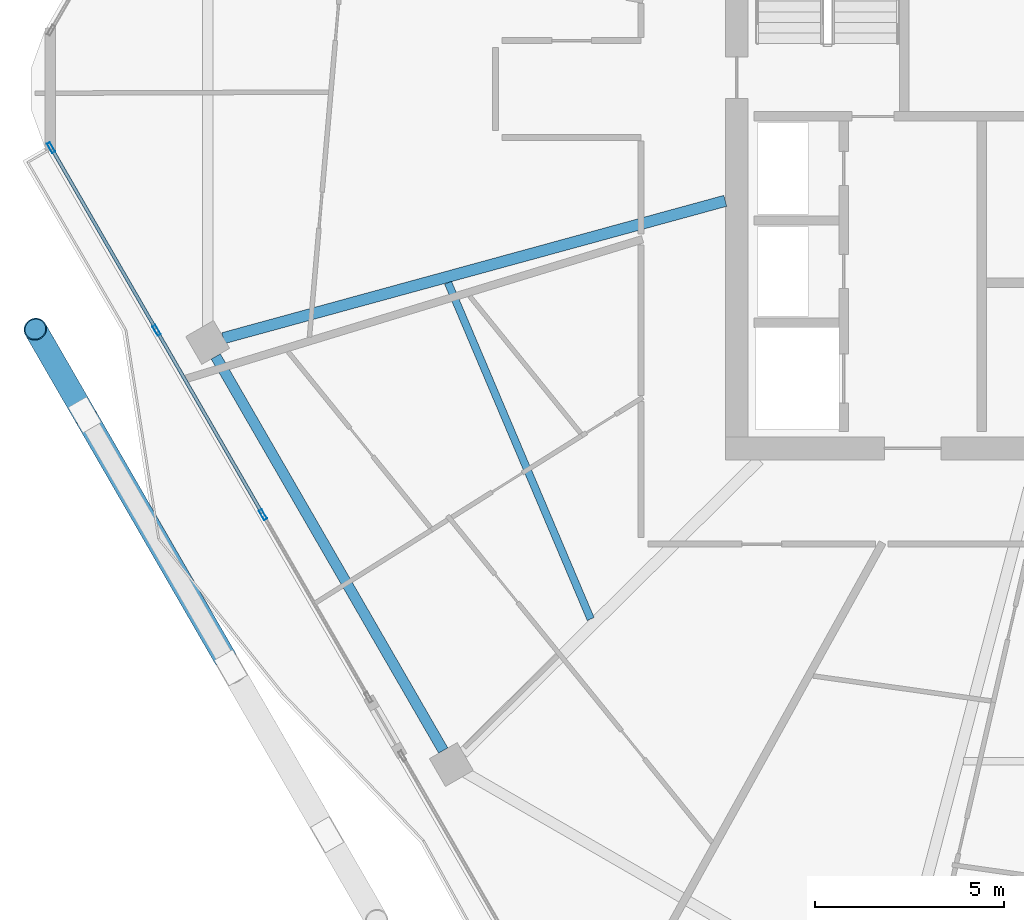
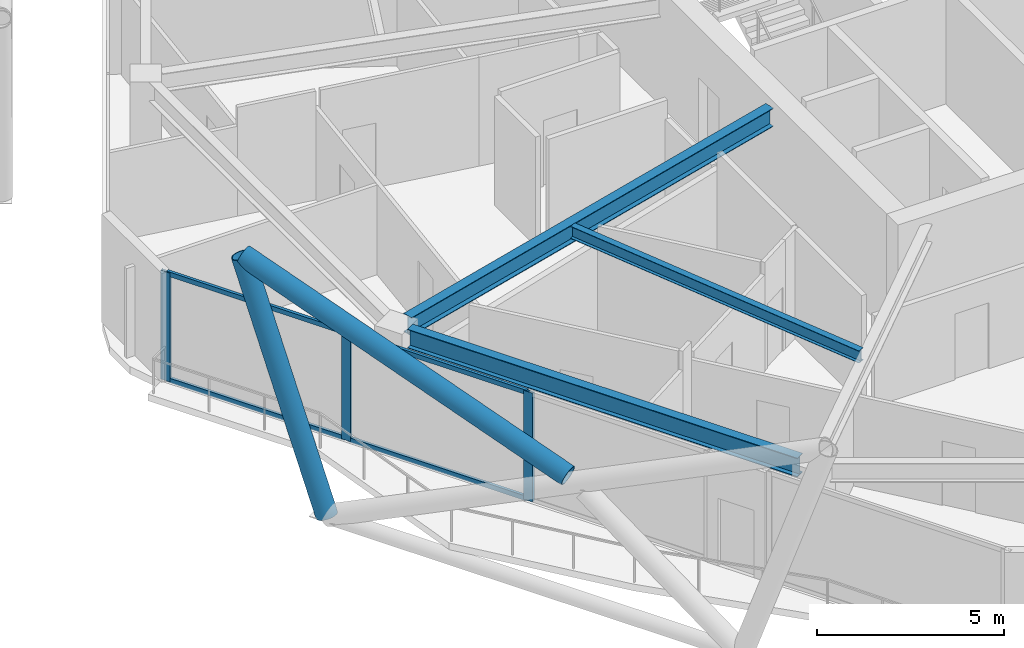
# One storey, part 5 of 28: 9 members, 3 beams, 1 element without a shape of its own.
"""IFC4 building model written with IfcOpenShell, lengths in metres."""

from ifc_helpers import new_model, si_unit, direction, frame, origin, origin_2d, place, context, subcontext, project, spatial, hollow_rectangle, hollow_circle, i_section, extrude, material, material_profile, profile_set, type_object, element, aggregate, save


model = new_model("IFC4")

# Units and contexts
model_context = context("Model", 3, precision=1e-05, world=origin(), true_north=direction((0.0, 1.0)))
body_context = subcontext(model_context, "Body", "Model", "MODEL_VIEW")
ifc_project = project(units=[si_unit("LENGTHUNIT", "METRE"), si_unit("AREAUNIT", "SQUARE_METRE"), si_unit("VOLUMEUNIT", "CUBIC_METRE"), si_unit("PLANEANGLEUNIT", "RADIAN"), si_unit("MASSUNIT", "GRAM", prefix="KILO")], contexts=[model_context])

# Site, building, storey
site_placement = place(None, origin())
site = spatial("IfcSite", under=ifc_project, at=site_placement, CompositionType="ELEMENT")
building_placement = place(site_placement, origin())
building = spatial("IfcBuilding", under=site, at=building_placement, Name="Zuhravey Tower", CompositionType="ELEMENT")
storey_placement = place(building_placement, frame((0.0, 0.0, 284.39990234375)))
storey = spatial("IfcBuildingStorey", under=building, at=storey_placement, Name="L72", CompositionType="ELEMENT", Elevation=284.39990234375)

# Curtain wall, members
ifc_material_1 = material(Name="Thermally broken anodised aluminium", Category="aluminium")
curtain_wall_type = type_object("IfcCurtainWallType", Name="Zone 3-4 High-Rise Curtain Wall CW4", PredefinedType="NOTDEFINED", material=ifc_material_1)
curtain_wall_placement = place(storey_placement, origin())
curtain_wall = element("IfcCurtainWall", 1, at=curtain_wall_placement, inside=storey, type_object=curtain_wall_type, Name="L72 CW4 CW-L72-F4-2", PredefinedType="NOTDEFINED")
ifc_material_2 = material(Name="Anodised aluminium", Category="aluminium")
ifc_material_profile_1 = material_profile(ifc_material_2, hollow_rectangle(XDim=0.090087890625, YDim=0.284912109375, WallThickness=0.0048828125, at=origin_2d()), Name="ALU-RHS-90x285x5")
ifc_profile_set_1 = profile_set([ifc_material_profile_1], Name="Anodised aluminium")
member_type_1 = type_object("IfcMemberType", Name="Curtain-Wall Mullion 90x180", PredefinedType="MULLION", material=ifc_profile_set_1)
member_1_placement = place(storey_placement, frame((12.9765625, 20.75048828125, 0.0), z_axis=(0.0, 0.0, 1.0), x_axis=(-0.866025527712, -0.499999785352, 0.0)))
member_1 = element("IfcMember", 2, at=member_1_placement, type_object=member_type_1, Name="CW4 mullion 2", PredefinedType="MULLION", context=body_context, shape_type="SweptSolid", body=[
    extrude(hollow_rectangle(XDim=0.090087890625, YDim=0.284912109375, WallThickness=0.0048828125, at=origin_2d()), origin(), (0.0, 0.0, 1.0), 3.550048828125),
])
member_2_placement = place(storey_placement, frame((10.165771484375, 25.618896484375, 0.0), z_axis=(0.0, 0.0, 1.0), x_axis=(-0.866025527712, -0.499999785352, 0.0)))
member_2 = element("IfcMember", 3, at=member_2_placement, type_object=member_type_1, Name="CW4 mullion 3", PredefinedType="MULLION", context=body_context, shape_type="SweptSolid", body=[
    extrude(hollow_rectangle(XDim=0.090087890625, YDim=0.284912109375, WallThickness=0.0048828125, at=origin_2d()), origin(), (0.0, 0.0, 1.0), 3.550048828125),
])
member_3_placement = place(storey_placement, frame((7.37744140625, 30.448486328125, 0.0), z_axis=(0.0, 0.0, 1.0), x_axis=(-0.866025527712, -0.499999785352, 0.0)))
member_3 = element("IfcMember", 4, at=member_3_placement, type_object=member_type_1, Name="CW4 mullion 4", PredefinedType="MULLION", context=body_context, shape_type="SweptSolid", body=[
    extrude(hollow_rectangle(XDim=0.090087890625, YDim=0.284912109375, WallThickness=0.0048828125, at=origin_2d()), origin(), (0.0, 0.0, 1.0), 3.550048828125),
])
ifc_material_profile_2 = material_profile(ifc_material_2, hollow_rectangle(XDim=0.090087890625, YDim=0.14990234375, WallThickness=0.0048828125, at=origin_2d()), Name="ALU-RHS-90x150x5")
ifc_profile_set_2 = profile_set([ifc_material_profile_2], Name="Anodised aluminium")
member_type_2 = type_object("IfcMemberType", Name="Curtain-Wall Transom 90x150", PredefinedType="USERDEFINED", material=ifc_profile_set_2)
member_4_placement = place(storey_placement, frame((12.9541015625, 20.789306640625, 0.045166015625), z_axis=(-0.49998860251, 0.866031984028, 0.0), x_axis=(-0.866031984028, -0.49998860251, 0.0)))
member_4 = element("IfcMember", 5, at=member_4_placement, type_object=member_type_2, Name="CW4 transom 2.1", ObjectType="TRANSOM", PredefinedType="USERDEFINED", context=body_context, shape_type="SweptSolid", body=[
    extrude(hollow_rectangle(XDim=0.090087890625, YDim=0.14990234375, WallThickness=0.0048828125, at=origin_2d()), origin(), (0.0, 0.0, 1.0), 5.531982421875),
])
member_5_placement = place(storey_placement, frame((12.9541015625, 20.789306640625, 3.505126953125), z_axis=(-0.49998860251, 0.866031984028, 0.0), x_axis=(-0.866031984028, -0.49998860251, 0.0)))
member_5 = element("IfcMember", 6, at=member_5_placement, type_object=member_type_2, Name="CW4 transom 2.2", ObjectType="TRANSOM", PredefinedType="USERDEFINED", context=body_context, shape_type="SweptSolid", body=[
    extrude(hollow_rectangle(XDim=0.090087890625, YDim=0.14990234375, WallThickness=0.0048828125, at=origin_2d()), origin(), (0.0, 0.0, 1.0), 5.531982421875),
])
member_6_placement = place(storey_placement, frame((10.143310546875, 25.657958984375, 0.045166015625), z_axis=(-0.50000105825, 0.866024792803, 0.0), x_axis=(-0.866024792803, -0.50000105825, 0.0)))
member_6 = element("IfcMember", 7, at=member_6_placement, type_object=member_type_2, Name="CW4 transom 3.1", ObjectType="TRANSOM", PredefinedType="USERDEFINED", context=body_context, shape_type="SweptSolid", body=[
    extrude(hollow_rectangle(XDim=0.090087890625, YDim=0.14990234375, WallThickness=0.0048828125, at=origin_2d()), origin(), (0.0, 0.0, 1.0), 5.48681640625),
])
member_7_placement = place(storey_placement, frame((10.143310546875, 25.657958984375, 3.505126953125), z_axis=(-0.50000105825, 0.866024792803, 0.0), x_axis=(-0.866024792803, -0.50000105825, 0.0)))
member_7 = element("IfcMember", 8, at=member_7_placement, type_object=member_type_2, Name="CW4 transom 3.2", ObjectType="TRANSOM", PredefinedType="USERDEFINED", context=body_context, shape_type="SweptSolid", body=[
    extrude(hollow_rectangle(XDim=0.090087890625, YDim=0.14990234375, WallThickness=0.0048828125, at=origin_2d()), origin(), (0.0, 0.0, 1.0), 5.48681640625),
])
aggregate(curtain_wall, [member_1, member_2, member_3, member_4, member_5, member_6, member_7])

# Members
ifc_material_3 = material(Name="Steel SM355", Category="steel")
ifc_material_profile_3 = material_profile(ifc_material_3, hollow_circle(Radius=0.3046875, WallThickness=0.028076171875, at=origin_2d()), Name="CHS-609.6x28")
ifc_profile_set_3 = profile_set([ifc_material_profile_3], Name="Steel SM355")
member_type_3 = type_object("IfcMemberType", Name="Exoskeleton Zone 3 Diagrid CHS610x28", PredefinedType="BRACE", material=ifc_profile_set_3)
member_8_placement = place(storey_placement, frame((8.26416015625, 23.392822265625, -0.44580078125), z_axis=(-0.163030622365, 0.282366718953, 0.945351813982), x_axis=(-0.866017274468, -0.500014080125, 0.0)))
element("IfcMember", 9, at=member_8_placement, inside=storey, type_object=member_type_3, Name="L72 Face 4 Diagrid Brace 1", PredefinedType="BRACE", context=body_context, shape_type="SweptSolid", body=[
    extrude(hollow_circle(Radius=0.3046875, WallThickness=0.028076171875, at=origin_2d()), origin(), (0.0, 0.0, 1.0), 8.001220703125),
])
member_9_placement = place(storey_placement, frame((11.988037109375, 16.943115234375, 3.437744140625), z_axis=(-0.46931500649, 0.812854505639, 0.344979676714), x_axis=(-0.866019296191, -0.500010578514, 0.0)))
element("IfcMember", 10, at=member_9_placement, inside=storey, type_object=member_type_3, Name="L72 Face 4 Split Diagrid Brace 3B", PredefinedType="BRACE", context=body_context, shape_type="SweptSolid", body=[
    extrude(hollow_circle(Radius=0.3046875, WallThickness=0.028076171875, at=origin_2d()), origin(), (0.0, 0.0, 1.0), 10.679931640625),
])

# Beams
ifc_material_profile_4 = material_profile(ifc_material_3, i_section(OverallWidth=0.280029296875, OverallDepth=0.6201171875, WebThickness=0.011962890625, FlangeThickness=0.02001953125, at=origin_2d()), Name="H-620x280x12x20")
ifc_profile_set_4 = profile_set([ifc_material_profile_4], Name="Steel SM355")
beam_type_1 = type_object("IfcBeamType", Name="Perimeter Ring Beam H620x280", PredefinedType="BEAM", material=ifc_profile_set_4)
beam_1_placement = place(storey_placement, frame((11.7294921875, 24.930419921875, 3.239990234375), z_axis=(0.500005971936, -0.866021955858, 0.0), x_axis=(0.866021955858, 0.500005971936, 0.0)))
element("IfcBeam", 11, at=beam_1_placement, inside=storey, type_object=beam_type_1, Name="L72 PB3 BM-L72-PB-07", PredefinedType="BEAM", context=body_context, shape_type="SweptSolid", body=[
    extrude(i_section(OverallWidth=0.280029296875, OverallDepth=0.6201171875, WebThickness=0.011962890625, FlangeThickness=0.02001953125, at=origin_2d()), origin(), (0.0, 0.0, 1.0), 12.025634765625),
])
ifc_material_profile_5 = material_profile(ifc_material_3, i_section(OverallWidth=0.300048828125, OverallDepth=0.60009765625, WebThickness=0.011962890625, FlangeThickness=0.02001953125, at=origin_2d()), Name="H-600x300x12x20")
ifc_profile_set_5 = profile_set([ifc_material_profile_5], Name="Steel SM355")
beam_type_2 = type_object("IfcBeamType", Name="Radial Primary Girder H600x300", PredefinedType="BEAM", material=ifc_profile_set_5)
beam_2_placement = place(storey_placement, frame((25.197021484375, 29.04443359375, 3.25), z_axis=(-0.964549305009, -0.263902705947, 0.0), x_axis=(0.263902705947, -0.964549305009, 0.0)))
element("IfcBeam", 12, at=beam_2_placement, inside=storey, type_object=beam_type_2, Name="L72 RG3 BM-L72-RAD-07", PredefinedType="BEAM", context=body_context, shape_type="SweptSolid", body=[
    extrude(i_section(OverallWidth=0.300048828125, OverallDepth=0.60009765625, WebThickness=0.011962890625, FlangeThickness=0.02001953125, at=origin_2d()), origin(), (0.0, 0.0, 1.0), 13.756591796875),
])
ifc_material_profile_6 = material_profile(ifc_material_3, i_section(OverallWidth=0.199951171875, OverallDepth=0.39990234375, WebThickness=0.008056640625, FlangeThickness=0.012939453125, at=origin_2d()), Name="H-400x200x8x13")
ifc_profile_set_6 = profile_set([ifc_material_profile_6], Name="Steel SM355")
beam_type_3 = type_object("IfcBeamType", Name="Secondary Floor Joist H400x200", PredefinedType="JOIST", material=ifc_profile_set_6)
beam_3_placement = place(storey_placement, frame((17.869140625, 26.881103515625, 3.35009765625), z_axis=(0.390413493754, -0.920639616731, 0.0), x_axis=(0.920639616731, 0.390413493754, 0.0)))
element("IfcBeam", 13, at=beam_3_placement, inside=storey, type_object=beam_type_3, Name="L72 SJ2 BM-L72-SJ-07-1", PredefinedType="JOIST", context=body_context, shape_type="SweptSolid", body=[
    extrude(i_section(OverallWidth=0.199951171875, OverallDepth=0.39990234375, WebThickness=0.008056640625, FlangeThickness=0.012939453125, at=origin_2d()), origin(), (0.0, 0.0, 1.0), 9.656494140625),
])

save(model, "model.ifc")
